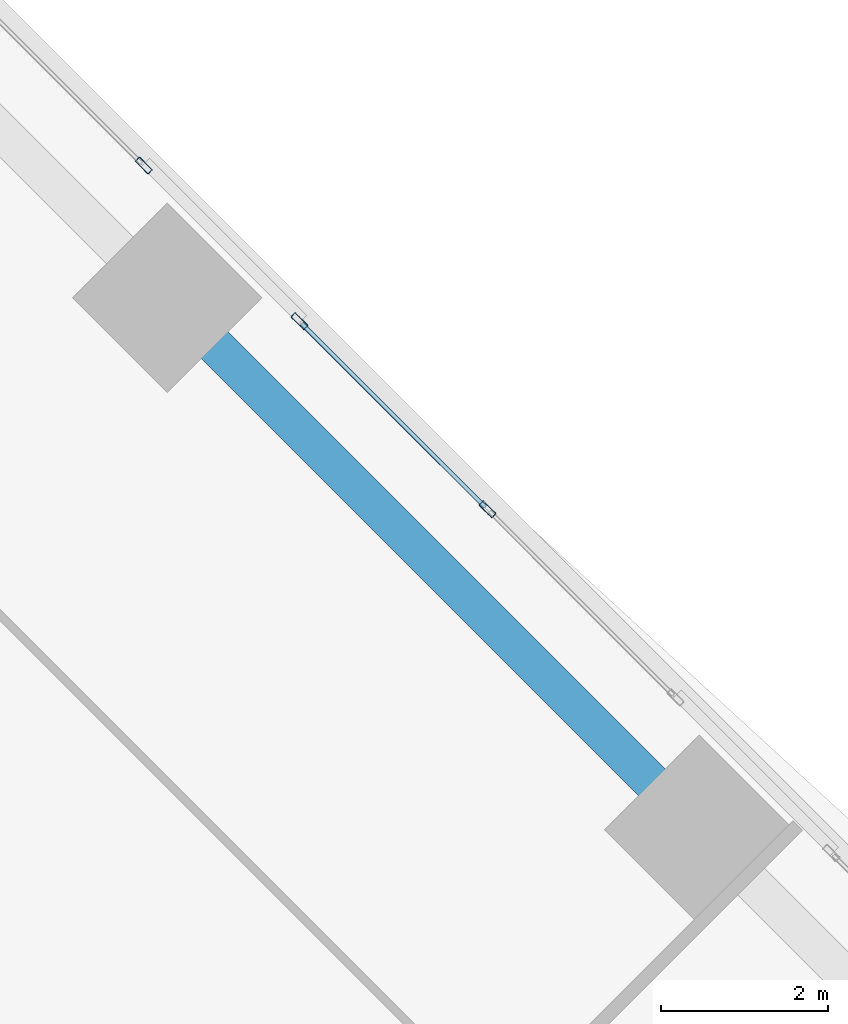
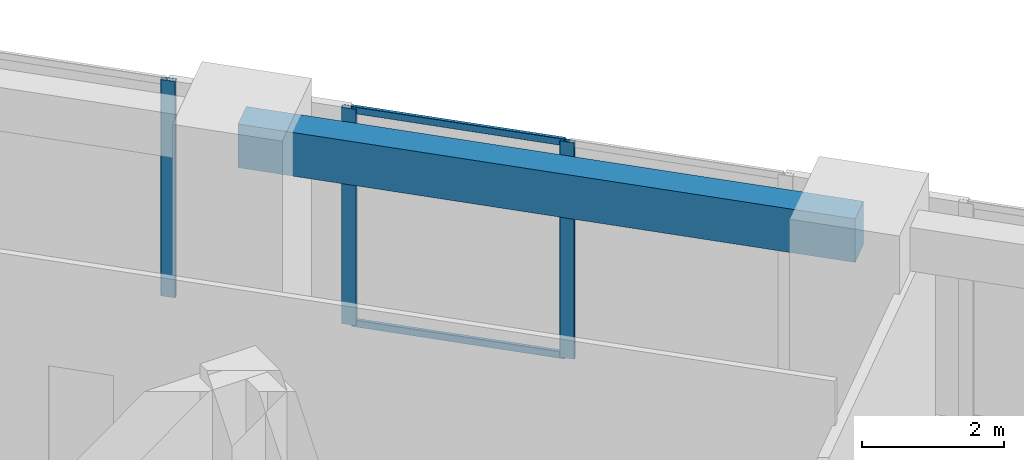
# One storey, part 11 of 17: 5 members, 1 beam, 2 elements without a shape of their own.
"""IFC4 building model written with IfcOpenShell, lengths in metres."""

from ifc_helpers import new_model, si_unit, direction, frame, origin, origin_2d, place, context, subcontext, project, spatial, rectangle, hollow_rectangle, extrude, source, transform, mapped, material, material_profile, profile_set, type_object, element, aggregate, save


model = new_model("IFC4")

# Units and contexts
model_context = context("Model", 3, precision=1e-05, world=origin(), true_north=direction((0.0, 1.0)))
body_context = subcontext(model_context, "Body", "Model", "MODEL_VIEW")
ifc_project = project(units=[si_unit("LENGTHUNIT", "METRE"), si_unit("AREAUNIT", "SQUARE_METRE"), si_unit("VOLUMEUNIT", "CUBIC_METRE"), si_unit("PLANEANGLEUNIT", "RADIAN"), si_unit("MASSUNIT", "GRAM", prefix="KILO")], contexts=[model_context])

# Site, building, storey
site_placement = place(None, origin())
site = spatial("IfcSite", under=ifc_project, at=site_placement, CompositionType="ELEMENT")
building_placement = place(site_placement, origin())
building = spatial("IfcBuilding", under=site, at=building_placement, Name="Torre Montelarca", CompositionType="ELEMENT")
storey_placement = place(building_placement, frame((0.0, 0.0, 241.60009765625)))
storey = spatial("IfcBuildingStorey", under=building, at=storey_placement, Name="L54", CompositionType="ELEMENT", Elevation=241.60009765625)

# Beam
ifc_material_1 = material(Name="Concrete C55/67", Category="concrete")
ifc_material_profile_1 = material_profile(ifc_material_1, rectangle(XDim=0.449951171875, YDim=0.75, at=origin_2d()), Name="RCB450X750", Category="concrete")
ifc_profile_set_1 = profile_set([ifc_material_profile_1], Name="Concrete C55/67")
beam_type = type_object("IfcBeamType", Name="BM-SP-RC750-EXT", PredefinedType="SPANDREL", material=ifc_profile_set_1)
shared_shape_1 = source(origin(), body_context, "Body", "SweptSolid", [
    extrude(rectangle(XDim=0.449951171875, YDim=0.75, at=origin_2d()), origin(), (0.0, 0.0, 1.0), 9.0),
])
beam_placement = place(storey_placement, frame((29.73779296875, 45.1875, 3.5849609375), z_axis=(0.707106781187, -0.707106781187, 0.0), x_axis=(0.707106781187, 0.707106781187, 0.0)))
element("IfcBeam", 1, at=beam_placement, inside=storey, type_object=beam_type, Name="L54 Grid Girder X 18.0-27.0 at Y=47.1", PredefinedType="SPANDREL", context=body_context, shape_type="MappedRepresentation", body=[
    mapped(shared_shape_1, transform((0.0, 0.0, 0.0), scale=1.0)),
])

# Curtain wall, members
ifc_material_2 = material(Name="Insulated low-E laminated glass", Category="glass")
curtain_wall_type = type_object("IfcCurtainWallType", Name="CW-SYS-Z3", PredefinedType="USERDEFINED", material=ifc_material_2)
curtain_wall_1_placement = place(storey_placement, origin())
curtain_wall_1 = element("IfcCurtainWall", 2, at=curtain_wall_1_placement, inside=storey, type_object=curtain_wall_type, Name="L54 Curtain Wall Run CW-T3-L54-E08-B2", ObjectType="UNITISED GLAZING", PredefinedType="USERDEFINED")
ifc_material_3 = material(Name="Anodised aluminium AA 6063-T6", Category="aluminium")
ifc_material_profile_2 = material_profile(ifc_material_3, hollow_rectangle(XDim=0.074951171875, YDim=0.219970703125, WallThickness=0.0048828125, InnerFilletRadius=0.0048828125, OuterFilletRadius=0.010009765625, at=origin_2d()), Name="ALU75X220X5", Category="aluminium")
ifc_profile_set_2 = profile_set([ifc_material_profile_2], Name="Anodised aluminium AA 6063-T6")
member_type_1 = type_object("IfcMemberType", Name="CWM-ALU220", PredefinedType="MULLION", material=ifc_profile_set_2)
shared_shape_2 = source(origin(), body_context, "Body", "SweptSolid", [
    extrude(hollow_rectangle(XDim=0.074951171875, YDim=0.219970703125, WallThickness=0.0048828125, InnerFilletRadius=0.0048828125, OuterFilletRadius=0.010009765625, at=origin_2d()), origin(), (0.0, 0.0, 1.0), 3.719970703125),
])
member_1_placement = place(storey_placement, frame((33.5703125, 42.656005859375, 0.0), z_axis=(0.0, 0.0, 1.0), x_axis=(-0.707114545144, -0.707099017144, 0.0)))
member_1 = element("IfcMember", 3, at=member_1_placement, type_object=member_type_1, Name="CW mullion 2", PredefinedType="MULLION", context=body_context, shape_type="MappedRepresentation", body=[
    mapped(shared_shape_2, transform((0.0, 0.0, 0.0), scale=1.0)),
])
member_2_placement = place(storey_placement, frame((31.320068359375, 44.906494140625, 0.0), z_axis=(0.0, 0.0, 1.0), x_axis=(-0.707114545144, -0.707099017144, 0.0)))
member_2 = element("IfcMember", 4, at=member_2_placement, type_object=member_type_1, Name="CW mullion 3", PredefinedType="MULLION", context=body_context, shape_type="MappedRepresentation", body=[
    mapped(shared_shape_2, transform((0.0, 0.0, 0.0), scale=1.0)),
])

# Curtain wall, member
curtain_wall_2_placement = place(storey_placement, origin())
curtain_wall_2 = element("IfcCurtainWall", 5, at=curtain_wall_2_placement, inside=storey, type_object=curtain_wall_type, Name="L54 Curtain Wall Run CW-T3-L54-E08-B3", ObjectType="UNITISED GLAZING", PredefinedType="USERDEFINED")
member_3_placement = place(storey_placement, frame((29.456787109375, 46.769775390625, 0.0), z_axis=(0.0, 0.0, 1.0), x_axis=(-0.707106781187, -0.707106781187, 0.0)))
member_3 = element("IfcMember", 6, at=member_3_placement, type_object=member_type_1, Name="CW mullion 1", PredefinedType="MULLION", context=body_context, shape_type="MappedRepresentation", body=[
    mapped(shared_shape_2, transform((0.0, 0.0, 0.0), scale=1.0)),
])
aggregate(curtain_wall_2, [member_3])

# Member
ifc_material_profile_3 = material_profile(ifc_material_3, hollow_rectangle(XDim=0.054931640625, YDim=0.1201171875, WallThickness=0.00341796875, InnerFilletRadius=0.00341796875, OuterFilletRadius=0.007080078125, at=origin_2d()), Name="ALU55X120X3.5", Category="aluminium")
ifc_profile_set_3 = profile_set([ifc_material_profile_3], Name="Anodised aluminium AA 6063-T6")
member_type_2 = type_object("IfcMemberType", Name="CWT-ALU120", PredefinedType="USERDEFINED", material=ifc_profile_set_3)
shared_shape_3 = source(origin(), body_context, "Body", "SweptSolid", [
    extrude(hollow_rectangle(XDim=0.054931640625, YDim=0.1201171875, WallThickness=0.00341796875, InnerFilletRadius=0.00341796875, OuterFilletRadius=0.007080078125, at=origin_2d()), origin(), (0.0, 0.0, 1.0), 3.107666015625),
])
member_4_placement = place(storey_placement, frame((33.5439453125, 42.6826171875, 0.02734375), z_axis=(-0.707146061623, 0.707067498568, 0.0), x_axis=(-0.707067498568, -0.707146061623, 0.0)))
member_4 = element("IfcMember", 7, at=member_4_placement, type_object=member_type_2, Name="CW transom 2.1", ObjectType="TRANSOM", PredefinedType="USERDEFINED", context=body_context, shape_type="MappedRepresentation", body=[
    mapped(shared_shape_3, transform((0.0, 0.0, 0.0), scale=1.0)),
])

member_5_placement = place(storey_placement, frame((33.5439453125, 42.6826171875, 3.6923828125), z_axis=(-0.707146061623, 0.707067498568, 0.0), x_axis=(-0.707067498568, -0.707146061623, 0.0)))
member_5 = element("IfcMember", 8, at=member_5_placement, type_object=member_type_2, Name="CW transom 2.2", ObjectType="TRANSOM", PredefinedType="USERDEFINED", context=body_context, shape_type="MappedRepresentation", body=[
    mapped(shared_shape_3, transform((0.0, 0.0, 0.0), scale=1.0)),
])

aggregate(curtain_wall_1, [member_1, member_2, member_4, member_5])

save(model, "model.ifc")
